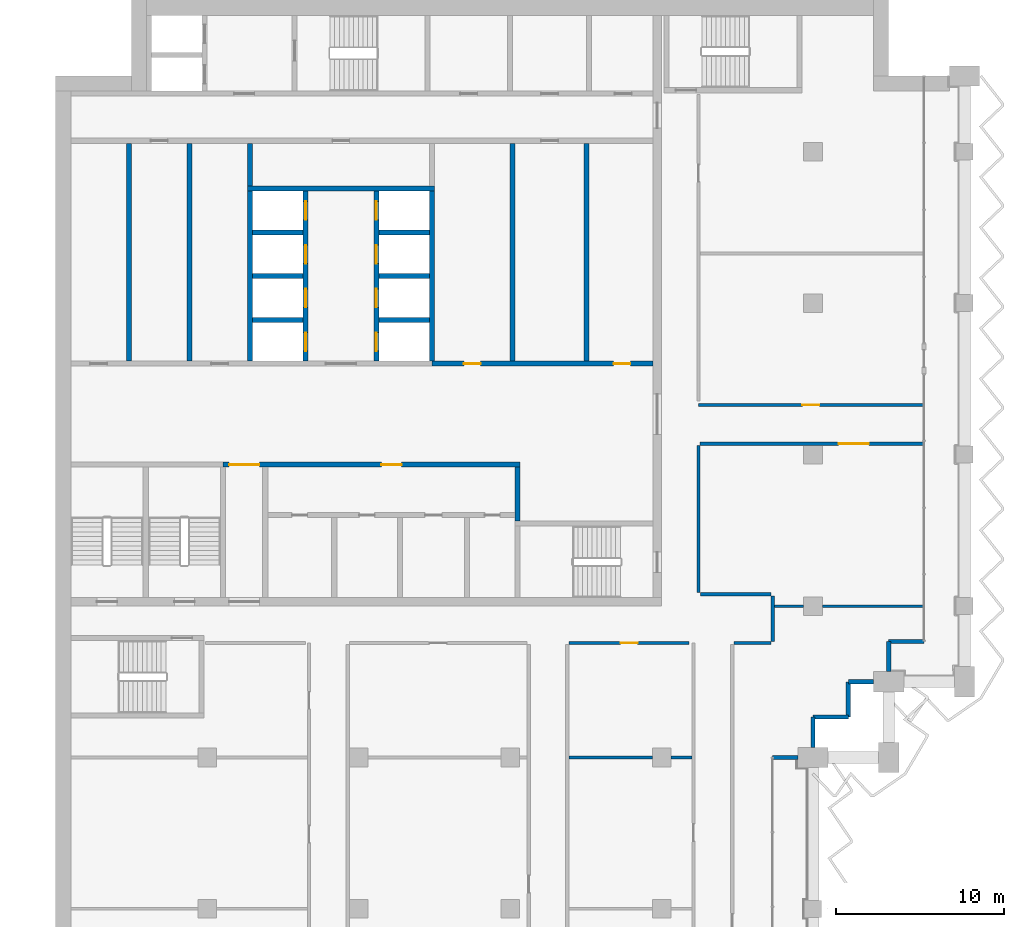
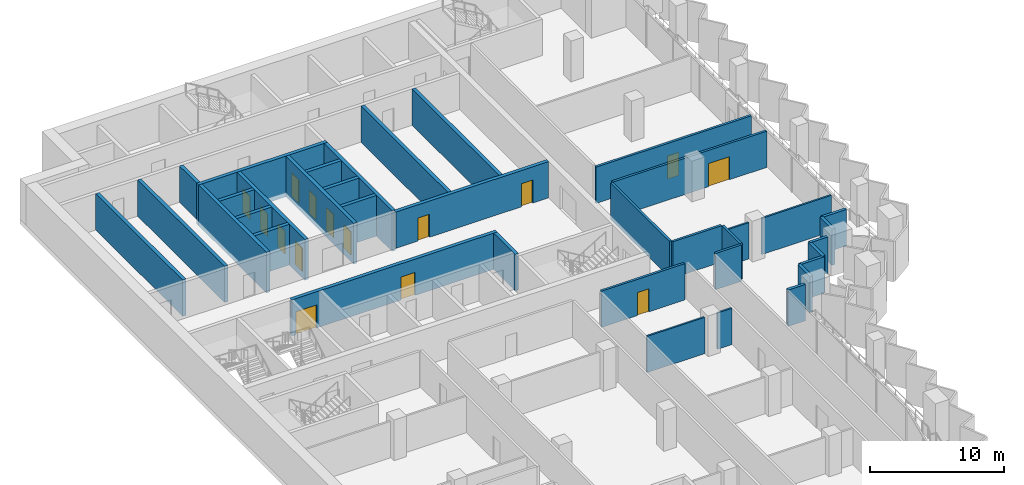
# One storey, part 11 of 19: 37 walls, 15 doors, 15 openings.
"""IFC4 building model written with IfcOpenShell, lengths in metres."""

from ifc_helpers import new_model, si_unit, direction, frame, frame_2d, origin, place, context, subcontext, project, spatial, rectangle, extrude, material, layer, layer_set, type_object, element, fill, save


model = new_model("IFC4")

# Units and contexts
model_context = context("Model", 3, precision=1e-05, world=origin(), true_north=direction((0.0, 1.0)))
body_context = subcontext(model_context, "Body", "Model", "MODEL_VIEW")
ifc_project = project(units=[si_unit("LENGTHUNIT", "METRE"), si_unit("AREAUNIT", "SQUARE_METRE"), si_unit("VOLUMEUNIT", "CUBIC_METRE"), si_unit("PLANEANGLEUNIT", "RADIAN"), si_unit("MASSUNIT", "GRAM", prefix="KILO")], contexts=[model_context])

# Site, building, storey
site_placement = place(None, origin())
site = spatial("IfcSite", under=ifc_project, at=site_placement, CompositionType="ELEMENT")
building_placement = place(site_placement, origin())
building = spatial("IfcBuilding", under=site, at=building_placement, Name="Hunhe Ridgeline Campus", CompositionType="ELEMENT")
storey_placement = place(building_placement, frame((0.0, 0.0, 216.10009765625)))
storey = spatial("IfcBuildingStorey", under=building, at=storey_placement, Name="L55", CompositionType="ELEMENT", Elevation=216.10009765625)

# Wall, openings, doors
ifc_material_1 = material(Name="Masonry concrete blockwork", Category="masonry")
ifc_layer_1 = layer(ifc_material_1, 0.300048828125)
ifc_layer_set_1 = layer_set([ifc_layer_1], Name="Core room partition 300 concrete block")
wall_type_1 = type_object("IfcWallType", Name="Core room partition 300 concrete block", PredefinedType="PARTITIONING", material=ifc_layer_set_1)
wall_1_placement = place(storey_placement, frame((9.949951171875, 71.39990234375, 0.0), z_axis=(0.0, 0.0, 1.0), x_axis=(1.0, 0.0, 0.0)))
wall_1 = element("IfcWall", 1, at=wall_1_placement, inside=storey, type_object=wall_type_1, Name="L55 core partition 11", PredefinedType="PARTITIONING", context=body_context, shape_type="SweptSolid", body=[
    extrude(rectangle(XDim=17.650146484375, YDim=0.300048828125, at=frame_2d((8.8251953125, 0.0))), origin(), (0.0, 0.0, 1.0), 3.2998046875),
])
opening_1_placement = place(wall_1_placement, frame((0.35009765625, 0.0, 0.0)))
opening_1 = element("IfcOpeningElement", 2, at=opening_1_placement, cuts=wall_1, Name="Opening CD7", PredefinedType="OPENING", context=body_context, shape_type="SweptSolid", body=[
    extrude(rectangle(XDim=1.800048828125, YDim=2.10009765625, at=frame_2d((0.89990234375, 1.050048828125))), frame((0.0, 0.14990234375, 0.0), z_axis=(0.0, -1.0, 0.0), x_axis=(1.0, 0.0, 0.0)), (0.0, 0.0, 1.0), 0.300048828125),
])
opening_2_placement = place(wall_1_placement, frame((9.39990234375, 0.0, 0.0)))
opening_2 = element("IfcOpeningElement", 3, at=opening_2_placement, cuts=wall_1, Name="Opening CD12", PredefinedType="OPENING", context=body_context, shape_type="SweptSolid", body=[
    extrude(rectangle(XDim=1.199951171875, YDim=2.10009765625, at=frame_2d((0.60009765625, 1.050048828125))), frame((0.0, 0.14990234375, 0.0), z_axis=(0.0, -1.0, 0.0), x_axis=(1.0, 0.0, 0.0)), (0.0, 0.0, 1.0), 0.300048828125),
])
ifc_material_2 = material(Name="Anodised aluminium and glass", Category="aluminium")
door_type_1 = type_object("IfcDoorType", Name="Glazed double door 1800x2100", OperationType="DOUBLE_DOOR_SINGLE_SWING", PredefinedType="DOOR", material=ifc_material_2)
door_1_placement = place(opening_1_placement, origin())
door_1 = element("IfcDoor", 4, at=door_1_placement, inside=storey, type_object=door_type_1, Name="L55 door VEST-HALL", OperationType="DOUBLE_DOOR_SINGLE_SWING", OverallHeight=2.10009765625, OverallWidth=1.800048828125, PredefinedType="DOOR", context=body_context, shape_type="SweptSolid", body=[
    extrude(rectangle(XDim=1.800048828125, YDim=2.10009765625, at=frame_2d((0.89990234375, 1.050048828125))), frame((0.0, 0.02490234375, 0.0), z_axis=(0.0, -1.0, 0.0), x_axis=(1.0, 0.0, 0.0)), (0.0, 0.0, 1.0), 0.050048828125),
])
fill(opening_1, door_1)
ifc_material_3 = material(Name="Solid core timber door leaf", Category="wood")
door_type_2 = type_object("IfcDoorType", Name="Timber door 1200x2100", OperationType="SINGLE_SWING_LEFT", PredefinedType="DOOR", material=ifc_material_3)
door_2_placement = place(opening_2_placement, origin())
door_2 = element("IfcDoor", 5, at=door_2_placement, inside=storey, type_object=door_type_2, Name="L55 door WCL2-HALL", OperationType="SINGLE_SWING_RIGHT", OverallHeight=2.10009765625, OverallWidth=1.199951171875, PredefinedType="DOOR", context=body_context, shape_type="SweptSolid", body=[
    extrude(rectangle(XDim=1.199951171875, YDim=2.10009765625, at=frame_2d((0.60009765625, 1.050048828125))), frame((0.0, 0.02490234375, 0.0), z_axis=(0.0, -1.0, 0.0), x_axis=(1.0, 0.0, 0.0)), (0.0, 0.0, 1.0), 0.050048828125),
])
fill(opening_2, door_2)

wall_2_placement = place(storey_placement, frame((22.35009765625, 77.39990234375, 0.0), z_axis=(0.0, 0.0, 1.0), x_axis=(1.0, 0.0, 0.0)))
wall_2 = element("IfcWall", 6, at=wall_2_placement, inside=storey, type_object=wall_type_1, Name="L55 core partition 13", PredefinedType="PARTITIONING", context=body_context, shape_type="SweptSolid", body=[
    extrude(rectangle(XDim=13.14990234375, YDim=0.300048828125, at=frame_2d((6.574951171875, 0.0))), origin(), (0.0, 0.0, 1.0), 3.2998046875),
])
opening_3_placement = place(wall_2_placement, frame((1.89990234375, 0.0, 0.0)))
opening_3 = element("IfcOpeningElement", 7, at=opening_3_placement, cuts=wall_2, Name="Opening CD32", PredefinedType="OPENING", context=body_context, shape_type="SweptSolid", body=[
    extrude(rectangle(XDim=1.0, YDim=2.10009765625, at=frame_2d((0.5, 1.050048828125))), frame((0.0, 0.14990234375, 0.0), z_axis=(0.0, -1.0, 0.0), x_axis=(1.0, 0.0, 0.0)), (0.0, 0.0, 1.0), 0.300048828125),
])
opening_4_placement = place(wall_2_placement, frame((10.800048828125, 0.0, 0.0)))
opening_4 = element("IfcOpeningElement", 8, at=opening_4_placement, cuts=wall_2, Name="Opening CD42", PredefinedType="OPENING", context=body_context, shape_type="SweptSolid", body=[
    extrude(rectangle(XDim=1.0, YDim=2.10009765625, at=frame_2d((0.5, 1.050048828125))), frame((0.0, 0.14990234375, 0.0), z_axis=(0.0, -1.0, 0.0), x_axis=(1.0, 0.0, 0.0)), (0.0, 0.0, 1.0), 0.300048828125),
])
door_type_3 = type_object("IfcDoorType", Name="Timber door 1000x2100", OperationType="SINGLE_SWING_LEFT", PredefinedType="DOOR", material=ifc_material_3)
door_3_placement = place(opening_3_placement, origin())
door_3 = element("IfcDoor", 9, at=door_3_placement, inside=storey, type_object=door_type_3, Name="L55 door ES0", OperationType="SINGLE_SWING_LEFT", OverallHeight=2.10009765625, OverallWidth=1.0, PredefinedType="DOOR", context=body_context, shape_type="SweptSolid", body=[
    extrude(rectangle(XDim=1.0, YDim=2.10009765625, at=frame_2d((0.5, 1.050048828125))), frame((0.0, 0.02490234375, 0.0), z_axis=(0.0, -1.0, 0.0), x_axis=(1.0, 0.0, 0.0)), (0.0, 0.0, 1.0), 0.050048828125),
])
fill(opening_3, door_3)
door_4_placement = place(opening_4_placement, origin())
door_4 = element("IfcDoor", 10, at=door_4_placement, inside=storey, type_object=door_type_3, Name="L55 door ES2", OperationType="SINGLE_SWING_LEFT", OverallHeight=2.10009765625, OverallWidth=1.0, PredefinedType="DOOR", context=body_context, shape_type="SweptSolid", body=[
    extrude(rectangle(XDim=1.0, YDim=2.10009765625, at=frame_2d((0.5, 1.050048828125))), frame((0.0, 0.02490234375, 0.0), z_axis=(0.0, -1.0, 0.0), x_axis=(1.0, 0.0, 0.0)), (0.0, 0.0, 1.0), 0.050048828125),
])
fill(opening_4, door_4)

# Walls
for number, where, z_axis, x_axis, name in (
    (11, (4.35009765625, 77.550048828125, 0.0), (0.0, 0.0, 1.0), (0.0, 1.0, 0.0), "L55 core partition 25"),
    (12, (7.949951171875, 77.550048828125, 0.0), (0.0, 0.0, 1.0), (0.0, 1.0, 0.0), "L55 core partition 28"),
):
    element("IfcWall", number, at=place(storey_placement, frame(where, z_axis=z_axis, x_axis=x_axis)), inside=storey, type_object=wall_type_1, Name=name, PredefinedType="PARTITIONING", context=body_context, shape_type="SweptSolid", body=[
        extrude(rectangle(XDim=12.949951171875, YDim=0.300048828125, at=frame_2d((6.47509765625, 0.0))), origin(), (0.0, 0.0, 1.0), 3.2998046875),
    ])
wall_3_placement = place(storey_placement, frame((11.550048828125, 87.949951171875, 0.0), z_axis=(0.0, 0.0, 1.0), x_axis=(0.0, 1.0, 0.0)))
element("IfcWall", 13, at=wall_3_placement, inside=storey, type_object=wall_type_1, Name="L55 core partition 34", PredefinedType="PARTITIONING", context=body_context, shape_type="SweptSolid", body=[
    extrude(rectangle(XDim=2.550048828125, YDim=0.300048828125, at=frame_2d((1.27490234375, 0.0))), origin(), (0.0, 0.0, 1.0), 3.2998046875),
])
wall_4_placement = place(storey_placement, frame((27.14990234375, 77.550048828125, 0.0), z_axis=(0.0, 0.0, 1.0), x_axis=(0.0, 1.0, 0.0)))
element("IfcWall", 14, at=wall_4_placement, inside=storey, type_object=wall_type_1, Name="L55 core partition 48", PredefinedType="PARTITIONING", context=body_context, shape_type="SweptSolid", body=[
    extrude(rectangle(XDim=12.949951171875, YDim=0.300048828125, at=frame_2d((6.47509765625, 0.0))), origin(), (0.0, 0.0, 1.0), 3.2998046875),
])
wall_5_placement = place(storey_placement, frame((27.449951171875, 68.050048828125, 0.0), z_axis=(0.0, 0.0, 1.0), x_axis=(0.0, 1.0, 0.0)))
element("IfcWall", 15, at=wall_5_placement, inside=storey, type_object=wall_type_1, Name="L55 core partition 50", PredefinedType="PARTITIONING", context=body_context, shape_type="SweptSolid", body=[
    extrude(rectangle(XDim=3.199951171875, YDim=0.300048828125, at=frame_2d((1.60009765625, 0.0))), origin(), (0.0, 0.0, 1.0), 3.2998046875),
])
wall_6_placement = place(storey_placement, frame((31.550048828125, 77.550048828125, 0.0), z_axis=(0.0, 0.0, 1.0), x_axis=(0.0, 1.0, 0.0)))
element("IfcWall", 16, at=wall_6_placement, inside=storey, type_object=wall_type_1, Name="L55 core partition 51", PredefinedType="PARTITIONING", context=body_context, shape_type="SweptSolid", body=[
    extrude(rectangle(XDim=12.949951171875, YDim=0.300048828125, at=frame_2d((6.47509765625, 0.0))), origin(), (0.0, 0.0, 1.0), 3.2998046875),
])
ifc_material_4 = material(Name="Concrete C30", Category="concrete")
ifc_layer_2 = layer(ifc_material_4, 0.25)
ifc_layer_set_2 = layer_set([ifc_layer_2], Name="Corner return wall 250 Concrete C30")
wall_type_2 = type_object("IfcWallType", Name="Corner return wall 250 Concrete C30", PredefinedType="SOLIDWALL", material=ifc_layer_set_2)
wall_7_placement = place(storey_placement, frame((42.59912109375, 54.00048828125, 0.0), z_axis=(0.0, 0.0, 1.0), x_axis=(0.999999986772, 0.00016265452, 0.0)))
element("IfcWall", 17, at=wall_7_placement, inside=storey, type_object=wall_type_2, Name="Corner return wall 2", PredefinedType="SOLIDWALL", context=body_context, shape_type="SweptSolid", body=[
    extrude(rectangle(XDim=1.5009765625, YDim=0.25, at=frame_2d((0.75048828125, 0.0))), origin(), (0.0, 0.0, 1.0), 3.2998046875),
])
wall_8_placement = place(storey_placement, frame((44.9990234375, 54.60009765625, 0.0), z_axis=(0.0, 0.0, 1.0), x_axis=(0.000135593219, 0.999999990807, 0.0)))
element("IfcWall", 18, at=wall_8_placement, inside=storey, type_object=wall_type_2, Name="Corner return wall 3", PredefinedType="SOLIDWALL", context=body_context, shape_type="SweptSolid", body=[
    extrude(rectangle(XDim=1.800537109375, YDim=0.25, at=frame_2d((0.900390625, 0.0))), origin(), (0.0, 0.0, 1.0), 3.2998046875),
])
wall_9_placement = place(storey_placement, frame((44.999267578125, 56.400634765625, 0.0), z_axis=(0.0, 0.0, 1.0), x_axis=(0.999999993241, 0.00011626555, 0.0)))
element("IfcWall", 19, at=wall_9_placement, inside=storey, type_object=wall_type_2, Name="Corner return wall 4", PredefinedType="SOLIDWALL", context=body_context, shape_type="SweptSolid", body=[
    extrude(rectangle(XDim=2.099853515625, YDim=0.25, at=frame_2d((1.0498046875, 0.0))), origin(), (0.0, 0.0, 1.0), 3.2998046875),
])
wall_10_placement = place(storey_placement, frame((47.09912109375, 56.40087890625, 0.0), z_axis=(0.0, 0.0, 1.0), x_axis=(0.000232504063, 0.999999972971, 0.0)))
element("IfcWall", 20, at=wall_10_placement, inside=storey, type_object=wall_type_2, Name="Corner return wall 5", PredefinedType="SOLIDWALL", context=body_context, shape_type="SweptSolid", body=[
    extrude(rectangle(XDim=2.10009765625, YDim=0.25, at=frame_2d((1.050048828125, 0.0))), origin(), (0.0, 0.0, 1.0), 3.2998046875),
])
wall_11_placement = place(storey_placement, frame((47.099609375, 58.5009765625, 0.0), z_axis=(0.0, 0.0, 1.0), x_axis=(1.0, 0.0, 0.0)))
element("IfcWall", 21, at=wall_11_placement, inside=storey, type_object=wall_type_2, Name="Corner return wall 6", PredefinedType="SOLIDWALL", context=body_context, shape_type="SweptSolid", body=[
    extrude(rectangle(XDim=1.50048828125, YDim=0.25, at=frame_2d((0.750244140625, 0.0))), origin(), (0.0, 0.0, 1.0), 3.2998046875),
])
wall_12_placement = place(storey_placement, frame((49.4990234375, 59.10009765625, 0.0), z_axis=(0.0, 0.0, 1.0), x_axis=(0.000271149665, 0.999999963239, 0.0)))
element("IfcWall", 22, at=wall_12_placement, inside=storey, type_object=wall_type_2, Name="Corner return wall 7", PredefinedType="SOLIDWALL", context=body_context, shape_type="SweptSolid", body=[
    extrude(rectangle(XDim=1.80078125, YDim=0.25, at=frame_2d((0.900390625, 0.0))), origin(), (0.0, 0.0, 1.0), 3.2998046875),
])
wall_13_placement = place(storey_placement, frame((49.49951171875, 60.90087890625, 0.0), z_axis=(0.0, 0.0, 1.0), x_axis=(1.0, 0.0, 0.0)))
element("IfcWall", 23, at=wall_13_placement, inside=storey, type_object=wall_type_2, Name="Corner return wall 8", PredefinedType="SOLIDWALL", context=body_context, shape_type="SweptSolid", body=[
    extrude(rectangle(XDim=2.099609375, YDim=0.25, at=frame_2d((1.0498046875, 0.0))), origin(), (0.0, 0.0, 1.0), 3.2998046875),
])

# Wall, opening, door
ifc_material_5 = material(Name="Gypsum board partition")
ifc_layer_3 = layer(ifc_material_5, 0.199951171875)
ifc_layer_set_3 = layer_set([ifc_layer_3], Name="Corridor partition 200 gypsum board on steel studs")
wall_type_3 = type_object("IfcWallType", Name="Corridor partition 200 gypsum board on steel studs", PredefinedType="PARTITIONING", material=ifc_layer_set_3)
wall_14_placement = place(storey_placement, frame((37.644775390625, 60.800048828125, 0.0), z_axis=(0.0, 0.0, 1.0), x_axis=(-1.0, 0.0, 0.0)))
wall_14 = element("IfcWall", 24, at=wall_14_placement, inside=storey, type_object=wall_type_3, Name="F-L55-wall-030", PredefinedType="PARTITIONING", context=body_context, shape_type="SweptSolid", body=[
    extrude(rectangle(XDim=7.144775390625, YDim=0.199951171875, at=frame_2d((3.572265625, 0.0))), origin(), (0.0, 0.0, 1.0), 3.2998046875),
])
opening_5_placement = place(wall_14_placement, frame((3.072509765625, 0.0, 0.0)))
opening_5 = element("IfcOpeningElement", 25, at=opening_5_placement, cuts=wall_14, Name="Opening RD1-017", PredefinedType="OPENING", context=body_context, shape_type="SweptSolid", body=[
    extrude(rectangle(XDim=1.0, YDim=2.10009765625, at=frame_2d((0.5, 1.050048828125))), frame((0.0, 0.10009765625, 0.0), z_axis=(0.0, -1.0, 0.0), x_axis=(1.0, 0.0, 0.0)), (0.0, 0.0, 1.0), 0.199951171875),
])
ifc_material_6 = material(Name="Timber door leaf", Category="wood")
door_type_4 = type_object("IfcDoorType", Name="Single fire door 1000x2100 timber FD60", OperationType="NOTDEFINED", PredefinedType="DOOR", material=ifc_material_6)
door_5_placement = place(opening_5_placement, origin())
door_5 = element("IfcDoor", 26, at=door_5_placement, inside=storey, type_object=door_type_4, Name="F-L55-door-017", OperationType="SINGLE_SWING_LEFT", OverallHeight=2.10009765625, OverallWidth=1.0, PredefinedType="DOOR", context=body_context, shape_type="SweptSolid", body=[
    extrude(rectangle(XDim=1.0, YDim=2.10009765625, at=frame_2d((0.5, 1.050048828125))), frame((0.0, 0.02490234375, 0.0), z_axis=(0.0, -1.0, 0.0), x_axis=(1.0, 0.0, 0.0)), (0.0, 0.0, 1.0), 0.050048828125),
])
fill(opening_5, door_5)

# Walls
wall_15_placement = place(storey_placement, frame((42.5, 60.800048828125, 0.0), z_axis=(0.0, 0.0, 1.0), x_axis=(-1.0, 0.0, 0.0)))
element("IfcWall", 27, at=wall_15_placement, inside=storey, type_object=wall_type_3, Name="F-L55-wall-031", PredefinedType="PARTITIONING", context=body_context, shape_type="SweptSolid", body=[
    extrude(rectangle(XDim=2.199951171875, YDim=0.199951171875, at=frame_2d((1.10009765625, 0.0))), origin(), (0.0, 0.0, 1.0), 3.2998046875),
])
wall_16_placement = place(storey_placement, frame((38.300048828125, 63.699951171875, 0.0), z_axis=(0.0, 0.0, 1.0), x_axis=(1.0, 0.0, 0.0)))
element("IfcWall", 28, at=wall_16_placement, inside=storey, type_object=wall_type_3, Name="F-L55-wall-034", PredefinedType="PARTITIONING", context=body_context, shape_type="SweptSolid", body=[
    extrude(rectangle(XDim=4.199951171875, YDim=0.199951171875, at=frame_2d((2.10009765625, 0.0))), origin(), (0.0, 0.0, 1.0), 3.2998046875),
])

# Wall, opening, door
wall_17_placement = place(storey_placement, frame((51.544921875, 72.64990234375, 0.0), z_axis=(0.0, 0.0, 1.0), x_axis=(-1.0, 0.0, 0.0)))
wall_17 = element("IfcWall", 29, at=wall_17_placement, inside=storey, type_object=wall_type_3, Name="F-L55-wall-035", PredefinedType="PARTITIONING", context=body_context, shape_type="SweptSolid", body=[
    extrude(rectangle(XDim=13.244873046875, YDim=0.199951171875, at=frame_2d((6.62255859375, 0.0))), origin(), (0.0, 0.0, 1.0), 3.2998046875),
])
opening_6_placement = place(wall_17_placement, frame((3.222412109375, 0.0, 0.0)))
opening_6 = element("IfcOpeningElement", 30, at=opening_6_placement, cuts=wall_17, Name="Opening RD2-018", PredefinedType="OPENING", context=body_context, shape_type="SweptSolid", body=[
    extrude(rectangle(XDim=1.800048828125, YDim=2.10009765625, at=frame_2d((0.89990234375, 1.050048828125))), frame((0.0, 0.10009765625, 0.0), z_axis=(0.0, -1.0, 0.0), x_axis=(1.0, 0.0, 0.0)), (0.0, 0.0, 1.0), 0.199951171875),
])
door_type_5 = type_object("IfcDoorType", Name="Double fire door 1800x2100 timber FD60", OperationType="DOUBLE_DOOR_SINGLE_SWING", PredefinedType="DOOR", material=ifc_material_6)
door_6_placement = place(opening_6_placement, origin())
door_6 = element("IfcDoor", 31, at=door_6_placement, inside=storey, type_object=door_type_5, Name="F-L55-door-018", OperationType="DOUBLE_DOOR_SINGLE_SWING", OverallHeight=2.10009765625, OverallWidth=1.800048828125, PredefinedType="DOOR", context=body_context, shape_type="SweptSolid", body=[
    extrude(rectangle(XDim=1.800048828125, YDim=2.10009765625, at=frame_2d((0.89990234375, 1.050048828125))), frame((0.0, 0.02490234375, 0.0), z_axis=(0.0, -1.0, 0.0), x_axis=(1.0, 0.0, 0.0)), (0.0, 0.0, 1.0), 0.050048828125),
])
fill(opening_6, door_6)

wall_18_placement = place(storey_placement, frame((38.199951171875, 74.949951171875, 0.0), z_axis=(0.0, 0.0, 1.0), x_axis=(1.0, 0.0, 0.0)))
wall_18 = element("IfcWall", 32, at=wall_18_placement, inside=storey, type_object=wall_type_3, Name="F-L55-wall-036", PredefinedType="PARTITIONING", context=body_context, shape_type="SweptSolid", body=[
    extrude(rectangle(XDim=13.344970703125, YDim=0.199951171875, at=frame_2d((6.67236328125, 0.0))), origin(), (0.0, 0.0, 1.0), 3.2998046875),
])
opening_7_placement = place(wall_18_placement, frame((6.172607421875, 0.0, 0.0)))
opening_7 = element("IfcOpeningElement", 33, at=opening_7_placement, cuts=wall_18, Name="Opening RD1-019", PredefinedType="OPENING", context=body_context, shape_type="SweptSolid", body=[
    extrude(rectangle(XDim=1.0, YDim=2.10009765625, at=frame_2d((0.5, 1.050048828125))), frame((0.0, 0.10009765625, 0.0), z_axis=(0.0, -1.0, 0.0), x_axis=(1.0, 0.0, 0.0)), (0.0, 0.0, 1.0), 0.199951171875),
])
door_7_placement = place(opening_7_placement, origin())
door_7 = element("IfcDoor", 34, at=door_7_placement, inside=storey, type_object=door_type_4, Name="F-L55-door-019", OperationType="SINGLE_SWING_LEFT", OverallHeight=2.10009765625, OverallWidth=1.0, PredefinedType="DOOR", context=body_context, shape_type="SweptSolid", body=[
    extrude(rectangle(XDim=1.0, YDim=2.10009765625, at=frame_2d((0.5, 1.050048828125))), frame((0.0, 0.02490234375, 0.0), z_axis=(0.0, -1.0, 0.0), x_axis=(1.0, 0.0, 0.0)), (0.0, 0.0, 1.0), 0.050048828125),
])
fill(opening_7, door_7)

# Walls
wall_19_placement = place(storey_placement, frame((38.199951171875, 72.550048828125, 0.0), z_axis=(0.0, 0.0, 1.0), x_axis=(0.0, -1.0, 0.0)))
element("IfcWall", 35, at=wall_19_placement, inside=storey, type_object=wall_type_3, Name="F-L55-wall-047", PredefinedType="PARTITIONING", context=body_context, shape_type="SweptSolid", body=[
    extrude(rectangle(XDim=8.75, YDim=0.199951171875, at=frame_2d((4.375, 0.0))), origin(), (0.0, 0.0, 1.0), 3.2998046875),
])
wall_20_placement = place(storey_placement, frame((42.60009765625, 63.60009765625, 0.0), z_axis=(0.0, 0.0, 1.0), x_axis=(0.0, -1.0, 0.0)))
element("IfcWall", 36, at=wall_20_placement, inside=storey, type_object=wall_type_3, Name="F-L55-wall-050", PredefinedType="PARTITIONING", context=body_context, shape_type="SweptSolid", body=[
    extrude(rectangle(XDim=2.7001953125, YDim=0.199951171875, at=frame_2d((1.35009765625, 0.0))), origin(), (0.0, 0.0, 1.0), 3.2998046875),
])
ifc_layer_4 = layer(ifc_material_5, 0.14990234375)
ifc_layer_set_4 = layer_set([ifc_layer_4], Name="Room partition 150 gypsum board on steel studs")
wall_type_4 = type_object("IfcWallType", Name="Room partition 150 gypsum board on steel studs", PredefinedType="PARTITIONING", material=ifc_layer_set_4)
wall_21_placement = place(storey_placement, frame((30.5, 54.0, 0.0), z_axis=(0.0, 0.0, 1.0), x_axis=(1.0, 0.0, 0.0)))
element("IfcWall", 37, at=wall_21_placement, inside=storey, type_object=wall_type_4, Name="F-L55-wall-026", PredefinedType="PARTITIONING", context=body_context, shape_type="SweptSolid", body=[
    extrude(rectangle(XDim=4.949951171875, YDim=0.14990234375, at=frame_2d((2.47509765625, 0.0))), origin(), (0.0, 0.0, 1.0), 3.2998046875),
])
wall_22_placement = place(storey_placement, frame((36.550048828125, 54.0, 0.0), z_axis=(0.0, 0.0, 1.0), x_axis=(1.0, 0.0, 0.0)))
element("IfcWall", 38, at=wall_22_placement, inside=storey, type_object=wall_type_4, Name="F-L55-wall-027", PredefinedType="PARTITIONING", context=body_context, shape_type="SweptSolid", body=[
    extrude(rectangle(XDim=1.25, YDim=0.14990234375, at=frame_2d((0.625, 0.0))), origin(), (0.0, 0.0, 1.0), 3.2998046875),
])
wall_23_placement = place(storey_placement, frame((42.699951171875, 63.0, 0.0), z_axis=(0.0, 0.0, 1.0), x_axis=(1.0, 0.0, 0.0)))
element("IfcWall", 39, at=wall_23_placement, inside=storey, type_object=wall_type_4, Name="F-L55-wall-032", PredefinedType="PARTITIONING", context=body_context, shape_type="SweptSolid", body=[
    extrude(rectangle(XDim=1.75, YDim=0.14990234375, at=frame_2d((0.875, 0.0))), origin(), (0.0, 0.0, 1.0), 3.2998046875),
])
wall_24_placement = place(storey_placement, frame((45.550048828125, 63.0, 0.0), z_axis=(0.0, 0.0, 1.0), x_axis=(1.0, 0.0, 0.0)))
element("IfcWall", 40, at=wall_24_placement, inside=storey, type_object=wall_type_4, Name="F-L55-wall-033", PredefinedType="PARTITIONING", context=body_context, shape_type="SweptSolid", body=[
    extrude(rectangle(XDim=5.994873046875, YDim=0.14990234375, at=frame_2d((2.99755859375, 0.0))), origin(), (0.0, 0.0, 1.0), 3.2998046875),
])
ifc_material_7 = material(Name="Concrete C60", Category="concrete")
ifc_layer_5 = layer(ifc_material_7, 0.300048828125)
ifc_layer_set_5 = layer_set([ifc_layer_5], Name="Shaft wall 300 reinforced concrete C60")
wall_type_5 = type_object("IfcWallType", Name="Shaft wall 300 reinforced concrete C60", PredefinedType="SOLIDWALL", material=ifc_layer_set_5)
for number, where, z_axis, x_axis, name in (
    (41, (11.699951171875, 80.0, -0.400146484375), (0.0, 0.0, 1.0), (1.0, 0.0, 0.0), "L55 core wall 14"),
    (42, (19.199951171875, 80.0, -0.400146484375), (0.0, 0.0, 1.0), (1.0, 0.0, 0.0), "L55 core wall 15"),
    (43, (11.699951171875, 82.60009765625, -0.400146484375), (0.0, 0.0, 1.0), (1.0, 0.0, 0.0), "L55 core wall 16"),
    (44, (19.199951171875, 82.60009765625, -0.400146484375), (0.0, 0.0, 1.0), (1.0, 0.0, 0.0), "L55 core wall 17"),
    (45, (11.699951171875, 85.199951171875, -0.400146484375), (0.0, 0.0, 1.0), (1.0, 0.0, 0.0), "L55 core wall 18"),
    (46, (19.199951171875, 85.199951171875, -0.400146484375), (0.0, 0.0, 1.0), (1.0, 0.0, 0.0), "L55 core wall 19"),
):
    element("IfcWall", number, at=place(storey_placement, frame(where, z_axis=z_axis, x_axis=x_axis)), inside=storey, type_object=wall_type_5, Name=name, PredefinedType="SOLIDWALL", context=body_context, shape_type="SweptSolid", body=[
        extrude(rectangle(XDim=3.0, YDim=0.300048828125, at=frame_2d((1.5, 0.0))), origin(), (0.0, 0.0, 1.0), 3.699951171875),
    ])
wall_25_placement = place(storey_placement, frame((11.39990234375, 87.800048828125, -0.400146484375), z_axis=(0.0, 0.0, 1.0), x_axis=(1.0, 0.0, 0.0)))
element("IfcWall", 47, at=wall_25_placement, inside=storey, type_object=wall_type_5, Name="L55 core wall 20", PredefinedType="SOLIDWALL", context=body_context, shape_type="SweptSolid", body=[
    extrude(rectangle(XDim=11.10009765625, YDim=0.300048828125, at=frame_2d((5.550048828125, 0.0))), origin(), (0.0, 0.0, 1.0), 3.699951171875),
])
wall_26_placement = place(storey_placement, frame((11.550048828125, 77.550048828125, -0.400146484375), z_axis=(0.0, 0.0, 1.0), x_axis=(0.0, 1.0, 0.0)))
element("IfcWall", 48, at=wall_26_placement, inside=storey, type_object=wall_type_5, Name="L55 core wall 33", PredefinedType="SOLIDWALL", context=body_context, shape_type="SweptSolid", body=[
    extrude(rectangle(XDim=10.099853515625, YDim=0.300048828125, at=frame_2d((5.0498046875, 0.0))), origin(), (0.0, 0.0, 1.0), 3.699951171875),
])

# Wall, openings, doors
wall_27_placement = place(storey_placement, frame((14.85009765625, 77.550048828125, -0.400146484375), z_axis=(0.0, 0.0, 1.0), x_axis=(0.0, 1.0, 0.0)))
wall_27 = element("IfcWall", 49, at=wall_27_placement, inside=storey, type_object=wall_type_5, Name="L55 core wall 37", PredefinedType="SOLIDWALL", context=body_context, shape_type="SweptSolid", body=[
    extrude(rectangle(XDim=10.099853515625, YDim=0.300048828125, at=frame_2d((5.0498046875, 0.0))), origin(), (0.0, 0.0, 1.0), 3.699951171875),
])
opening_8_placement = place(wall_27_placement, frame((0.60009765625, 0.0, 0.39990234375)))
opening_8 = element("IfcOpeningElement", 50, at=opening_8_placement, cuts=wall_27, Name="Opening LD-HR1", PredefinedType="OPENING", context=body_context, shape_type="SweptSolid", body=[
    extrude(rectangle(XDim=1.10009765625, YDim=2.10009765625, at=frame_2d((0.550048828125, 1.050048828125))), frame((0.0, 0.14990234375, 0.0), z_axis=(0.0, -1.0, 0.0), x_axis=(1.0, 0.0, 0.0)), (0.0, 0.0, 1.0), 0.300048828125),
])
opening_9_placement = place(wall_27_placement, frame((3.199951171875, 0.0, 0.39990234375)))
opening_9 = element("IfcOpeningElement", 51, at=opening_9_placement, cuts=wall_27, Name="Opening LD-HR2", PredefinedType="OPENING", context=body_context, shape_type="SweptSolid", body=[
    extrude(rectangle(XDim=1.10009765625, YDim=2.10009765625, at=frame_2d((0.550048828125, 1.050048828125))), frame((0.0, 0.14990234375, 0.0), z_axis=(0.0, -1.0, 0.0), x_axis=(1.0, 0.0, 0.0)), (0.0, 0.0, 1.0), 0.300048828125),
])
opening_10_placement = place(wall_27_placement, frame((5.800048828125, 0.0, 0.39990234375)))
opening_10 = element("IfcOpeningElement", 52, at=opening_10_placement, cuts=wall_27, Name="Opening LD-HR3", PredefinedType="OPENING", context=body_context, shape_type="SweptSolid", body=[
    extrude(rectangle(XDim=1.10009765625, YDim=2.10009765625, at=frame_2d((0.550048828125, 1.050048828125))), frame((0.0, 0.14990234375, 0.0), z_axis=(0.0, -1.0, 0.0), x_axis=(1.0, 0.0, 0.0)), (0.0, 0.0, 1.0), 0.300048828125),
])
opening_11_placement = place(wall_27_placement, frame((8.39990234375, 0.0, 0.39990234375)))
opening_11 = element("IfcOpeningElement", 53, at=opening_11_placement, cuts=wall_27, Name="Opening LD-HR4", PredefinedType="OPENING", context=body_context, shape_type="SweptSolid", body=[
    extrude(rectangle(XDim=1.10009765625, YDim=2.10009765625, at=frame_2d((0.550048828125, 1.050048828125))), frame((0.0, 0.14990234375, 0.0), z_axis=(0.0, -1.0, 0.0), x_axis=(1.0, 0.0, 0.0)), (0.0, 0.0, 1.0), 0.300048828125),
])
ifc_material_8 = material(Name="Stainless steel sliding leaves", Category="steel")
door_type_6 = type_object("IfcDoorType", Name="Landing door 1100x2100 FD120", OperationType="SLIDING_TO_LEFT", PredefinedType="DOOR", material=ifc_material_8)
door_8_placement = place(opening_8_placement, origin())
door_8 = element("IfcDoor", 54, at=door_8_placement, inside=storey, type_object=door_type_6, Name="L55 landing door HR1", OperationType="SLIDING_TO_RIGHT", OverallHeight=2.10009765625, OverallWidth=1.10009765625, PredefinedType="DOOR", context=body_context, shape_type="SweptSolid", body=[
    extrude(rectangle(XDim=1.10009765625, YDim=2.10009765625, at=frame_2d((0.550048828125, 1.050048828125))), frame((0.0, 0.02490234375, 0.0), z_axis=(0.0, -1.0, 0.0), x_axis=(1.0, 0.0, 0.0)), (0.0, 0.0, 1.0), 0.050048828125),
])
fill(opening_8, door_8)
door_9_placement = place(opening_9_placement, origin())
door_9 = element("IfcDoor", 55, at=door_9_placement, inside=storey, type_object=door_type_6, Name="L55 landing door HR2", OperationType="SLIDING_TO_LEFT", OverallHeight=2.10009765625, OverallWidth=1.10009765625, PredefinedType="DOOR", context=body_context, shape_type="SweptSolid", body=[
    extrude(rectangle(XDim=1.10009765625, YDim=2.10009765625, at=frame_2d((0.550048828125, 1.050048828125))), frame((0.0, 0.02490234375, 0.0), z_axis=(0.0, -1.0, 0.0), x_axis=(1.0, 0.0, 0.0)), (0.0, 0.0, 1.0), 0.050048828125),
])
fill(opening_9, door_9)
door_10_placement = place(opening_10_placement, origin())
door_10 = element("IfcDoor", 56, at=door_10_placement, inside=storey, type_object=door_type_6, Name="L55 landing door HR3", OperationType="SLIDING_TO_RIGHT", OverallHeight=2.10009765625, OverallWidth=1.10009765625, PredefinedType="DOOR", context=body_context, shape_type="SweptSolid", body=[
    extrude(rectangle(XDim=1.10009765625, YDim=2.10009765625, at=frame_2d((0.550048828125, 1.050048828125))), frame((0.0, 0.02490234375, 0.0), z_axis=(0.0, -1.0, 0.0), x_axis=(1.0, 0.0, 0.0)), (0.0, 0.0, 1.0), 0.050048828125),
])
fill(opening_10, door_10)
door_11_placement = place(opening_11_placement, origin())
door_11 = element("IfcDoor", 57, at=door_11_placement, inside=storey, type_object=door_type_6, Name="L55 landing door HR4", OperationType="SLIDING_TO_LEFT", OverallHeight=2.10009765625, OverallWidth=1.10009765625, PredefinedType="DOOR", context=body_context, shape_type="SweptSolid", body=[
    extrude(rectangle(XDim=1.10009765625, YDim=2.10009765625, at=frame_2d((0.550048828125, 1.050048828125))), frame((0.0, 0.02490234375, 0.0), z_axis=(0.0, -1.0, 0.0), x_axis=(1.0, 0.0, 0.0)), (0.0, 0.0, 1.0), 0.050048828125),
])
fill(opening_11, door_11)

wall_28_placement = place(storey_placement, frame((19.050048828125, 77.550048828125, -0.400146484375), z_axis=(0.0, 0.0, 1.0), x_axis=(0.0, 1.0, 0.0)))
wall_28 = element("IfcWall", 58, at=wall_28_placement, inside=storey, type_object=wall_type_5, Name="L55 core wall 39", PredefinedType="SOLIDWALL", context=body_context, shape_type="SweptSolid", body=[
    extrude(rectangle(XDim=10.099853515625, YDim=0.300048828125, at=frame_2d((5.0498046875, 0.0))), origin(), (0.0, 0.0, 1.0), 3.699951171875),
])
opening_12_placement = place(wall_28_placement, frame((0.60009765625, 0.0, 0.39990234375)))
opening_12 = element("IfcOpeningElement", 59, at=opening_12_placement, cuts=wall_28, Name="Opening LD-HR5", PredefinedType="OPENING", context=body_context, shape_type="SweptSolid", body=[
    extrude(rectangle(XDim=1.10009765625, YDim=2.10009765625, at=frame_2d((0.550048828125, 1.050048828125))), frame((0.0, 0.14990234375, 0.0), z_axis=(0.0, -1.0, 0.0), x_axis=(1.0, 0.0, 0.0)), (0.0, 0.0, 1.0), 0.300048828125),
])
opening_13_placement = place(wall_28_placement, frame((3.199951171875, 0.0, 0.39990234375)))
opening_13 = element("IfcOpeningElement", 60, at=opening_13_placement, cuts=wall_28, Name="Opening LD-HR6", PredefinedType="OPENING", context=body_context, shape_type="SweptSolid", body=[
    extrude(rectangle(XDim=1.10009765625, YDim=2.10009765625, at=frame_2d((0.550048828125, 1.050048828125))), frame((0.0, 0.14990234375, 0.0), z_axis=(0.0, -1.0, 0.0), x_axis=(1.0, 0.0, 0.0)), (0.0, 0.0, 1.0), 0.300048828125),
])
opening_14_placement = place(wall_28_placement, frame((5.800048828125, 0.0, 0.39990234375)))
opening_14 = element("IfcOpeningElement", 61, at=opening_14_placement, cuts=wall_28, Name="Opening LD-HR7", PredefinedType="OPENING", context=body_context, shape_type="SweptSolid", body=[
    extrude(rectangle(XDim=1.10009765625, YDim=2.10009765625, at=frame_2d((0.550048828125, 1.050048828125))), frame((0.0, 0.14990234375, 0.0), z_axis=(0.0, -1.0, 0.0), x_axis=(1.0, 0.0, 0.0)), (0.0, 0.0, 1.0), 0.300048828125),
])
opening_15_placement = place(wall_28_placement, frame((8.39990234375, 0.0, 0.39990234375)))
opening_15 = element("IfcOpeningElement", 62, at=opening_15_placement, cuts=wall_28, Name="Opening LD-HR8", PredefinedType="OPENING", context=body_context, shape_type="SweptSolid", body=[
    extrude(rectangle(XDim=1.10009765625, YDim=2.10009765625, at=frame_2d((0.550048828125, 1.050048828125))), frame((0.0, 0.14990234375, 0.0), z_axis=(0.0, -1.0, 0.0), x_axis=(1.0, 0.0, 0.0)), (0.0, 0.0, 1.0), 0.300048828125),
])
door_12_placement = place(opening_12_placement, origin())
door_12 = element("IfcDoor", 63, at=door_12_placement, inside=storey, type_object=door_type_6, Name="L55 landing door HR5", OperationType="SLIDING_TO_RIGHT", OverallHeight=2.10009765625, OverallWidth=1.10009765625, PredefinedType="DOOR", context=body_context, shape_type="SweptSolid", body=[
    extrude(rectangle(XDim=1.10009765625, YDim=2.10009765625, at=frame_2d((0.550048828125, 1.050048828125))), frame((0.0, 0.02490234375, 0.0), z_axis=(0.0, -1.0, 0.0), x_axis=(1.0, 0.0, 0.0)), (0.0, 0.0, 1.0), 0.050048828125),
])
fill(opening_12, door_12)
door_13_placement = place(opening_13_placement, origin())
door_13 = element("IfcDoor", 64, at=door_13_placement, inside=storey, type_object=door_type_6, Name="L55 landing door HR6", OperationType="SLIDING_TO_LEFT", OverallHeight=2.10009765625, OverallWidth=1.10009765625, PredefinedType="DOOR", context=body_context, shape_type="SweptSolid", body=[
    extrude(rectangle(XDim=1.10009765625, YDim=2.10009765625, at=frame_2d((0.550048828125, 1.050048828125))), frame((0.0, 0.02490234375, 0.0), z_axis=(0.0, -1.0, 0.0), x_axis=(1.0, 0.0, 0.0)), (0.0, 0.0, 1.0), 0.050048828125),
])
fill(opening_13, door_13)
door_14_placement = place(opening_14_placement, origin())
door_14 = element("IfcDoor", 65, at=door_14_placement, inside=storey, type_object=door_type_6, Name="L55 landing door HR7", OperationType="SLIDING_TO_RIGHT", OverallHeight=2.10009765625, OverallWidth=1.10009765625, PredefinedType="DOOR", context=body_context, shape_type="SweptSolid", body=[
    extrude(rectangle(XDim=1.10009765625, YDim=2.10009765625, at=frame_2d((0.550048828125, 1.050048828125))), frame((0.0, 0.02490234375, 0.0), z_axis=(0.0, -1.0, 0.0), x_axis=(1.0, 0.0, 0.0)), (0.0, 0.0, 1.0), 0.050048828125),
])
fill(opening_14, door_14)
door_15_placement = place(opening_15_placement, origin())
door_15 = element("IfcDoor", 66, at=door_15_placement, inside=storey, type_object=door_type_6, Name="L55 landing door HR8", OperationType="SLIDING_TO_LEFT", OverallHeight=2.10009765625, OverallWidth=1.10009765625, PredefinedType="DOOR", context=body_context, shape_type="SweptSolid", body=[
    extrude(rectangle(XDim=1.10009765625, YDim=2.10009765625, at=frame_2d((0.550048828125, 1.050048828125))), frame((0.0, 0.02490234375, 0.0), z_axis=(0.0, -1.0, 0.0), x_axis=(1.0, 0.0, 0.0)), (0.0, 0.0, 1.0), 0.050048828125),
])
fill(opening_15, door_15)

# Wall
wall_29_placement = place(storey_placement, frame((22.35009765625, 77.550048828125, -0.400146484375), z_axis=(0.0, 0.0, 1.0), x_axis=(0.0, 1.0, 0.0)))
element("IfcWall", 67, at=wall_29_placement, inside=storey, type_object=wall_type_5, Name="L55 core wall 43", PredefinedType="SOLIDWALL", context=body_context, shape_type="SweptSolid", body=[
    extrude(rectangle(XDim=10.099853515625, YDim=0.300048828125, at=frame_2d((5.0498046875, 0.0))), origin(), (0.0, 0.0, 1.0), 3.699951171875),
])

save(model, "model.ifc")
